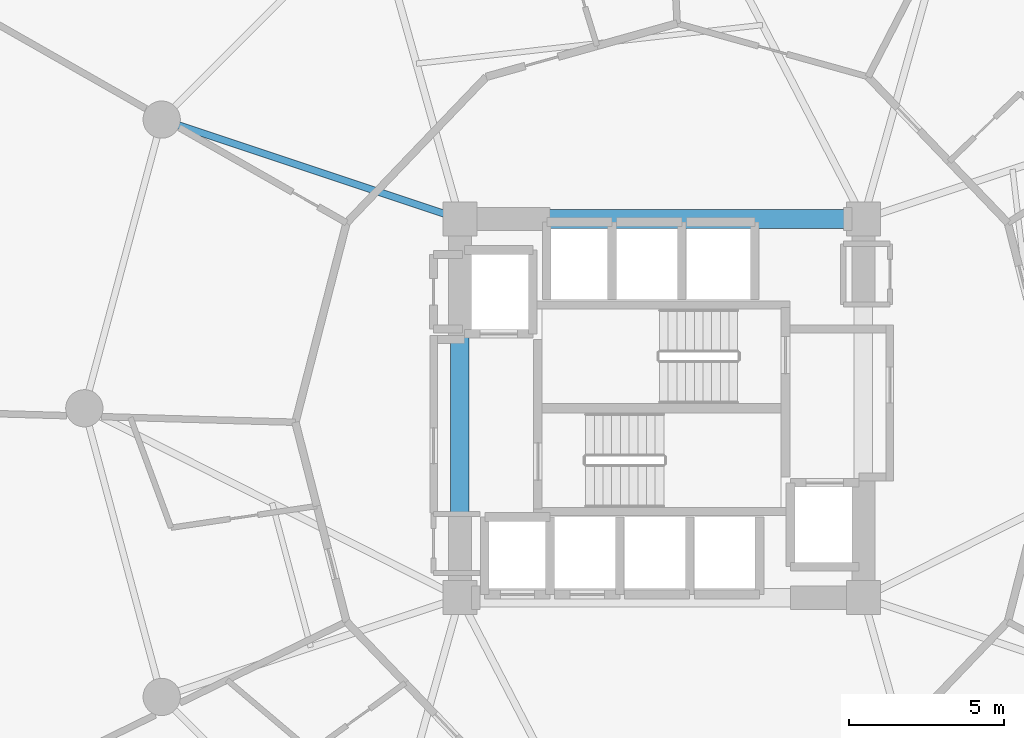
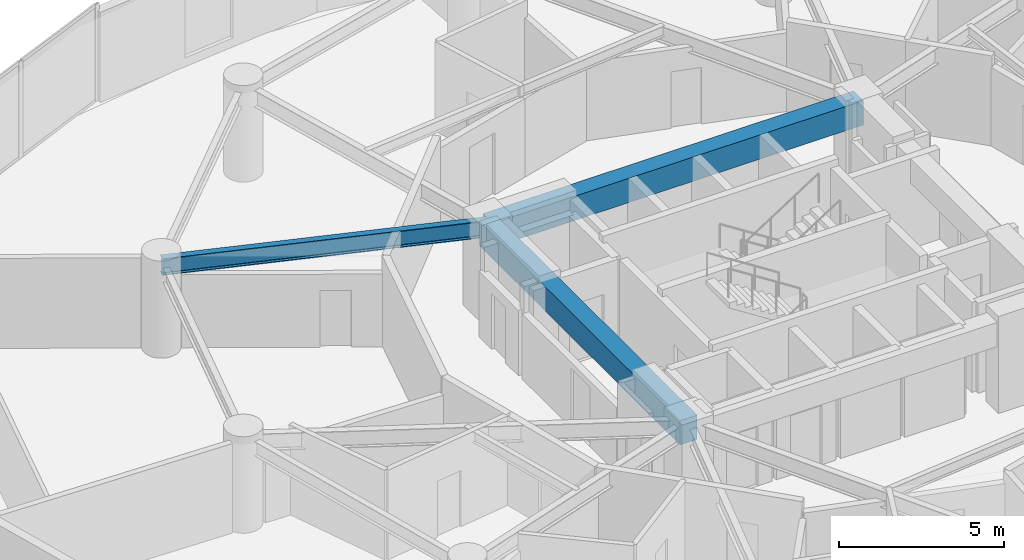
# One storey, part 8 of 26: 3 beams.
"""IFC4 building model written with IfcOpenShell, lengths in metres."""

from ifc_helpers import new_model, si_unit, direction, frame, origin, origin_2d, place, context, subcontext, project, spatial, rectangle, i_section, extrude, material, material_profile, profile_set, type_object, element, save


model = new_model("IFC4")

# Units and contexts
model_context = context("Model", 3, precision=1e-05, world=origin(), true_north=direction((0.0, 1.0)))
body_context = subcontext(model_context, "Body", "Model", "MODEL_VIEW")
ifc_project = project(units=[si_unit("LENGTHUNIT", "METRE"), si_unit("AREAUNIT", "SQUARE_METRE"), si_unit("VOLUMEUNIT", "CUBIC_METRE"), si_unit("PLANEANGLEUNIT", "RADIAN"), si_unit("MASSUNIT", "GRAM", prefix="KILO")], contexts=[model_context])

# Site, building, storey
site_placement = place(None, origin())
site = spatial("IfcSite", under=ifc_project, at=site_placement, CompositionType="ELEMENT")
building_placement = place(site_placement, origin())
building = spatial("IfcBuilding", under=site, at=building_placement, Name="Solvirekh Grand Hotel", CompositionType="ELEMENT")
storey_placement = place(building_placement, frame((0.0, 0.0, 64.39990234375)))
storey = spatial("IfcBuildingStorey", under=building, at=storey_placement, Name="L15", CompositionType="ELEMENT", Elevation=64.39990234375)

# Beams
ifc_material_1 = material(Name="Concrete C50/60", Category="concrete")
ifc_material_profile_1 = material_profile(ifc_material_1, rectangle(XDim=0.60009765625, YDim=0.89990234375, at=origin_2d()), Name="RC BEAM 600X900")
ifc_profile_set_1 = profile_set([ifc_material_profile_1], Name="Concrete C50/60")
beam_type_1 = type_object("IfcBeamType", Name="Beam_Core_RC900", PredefinedType="BEAM", material=ifc_profile_set_1)
beam_1_placement = place(storey_placement, frame((6.5, 6.10009765625, 2.89013671875), z_axis=(-1.0, 0.0, 0.0), x_axis=(0.0, -1.0, 0.0)))
element("IfcBeam", 1, at=beam_1_placement, inside=storey, type_object=beam_type_1, Name="L15 core coupling ring beam 3", PredefinedType="BEAM", context=body_context, shape_type="SweptSolid", body=[
    extrude(rectangle(XDim=0.60009765625, YDim=0.89990234375, at=origin_2d()), origin(), (0.0, 0.0, 1.0), 13.0),
])
beam_2_placement = place(storey_placement, frame((-6.5, 6.10009765625, 2.89013671875), z_axis=(0.0, -1.0, 0.0), x_axis=(1.0, 0.0, 0.0)))
element("IfcBeam", 2, at=beam_2_placement, inside=storey, type_object=beam_type_1, Name="L15 core coupling ring beam 4", PredefinedType="BEAM", context=body_context, shape_type="SweptSolid", body=[
    extrude(rectangle(XDim=0.60009765625, YDim=0.89990234375, at=origin_2d()), origin(), (0.0, 0.0, 1.0), 12.2001953125),
])
ifc_material_2 = material(Name="Steel S355", Category="steel")
ifc_material_profile_2 = material_profile(ifc_material_2, i_section(OverallWidth=0.22802734375, OverallDepth=0.616943359375, WebThickness=0.012939453125, FlangeThickness=0.02001953125, FilletRadius=0.014892578125, at=origin_2d()), Name="W610X140")
ifc_profile_set_2 = profile_set([ifc_material_profile_2], Name="Steel S355")
beam_type_2 = type_object("IfcBeamType", Name="Beam_Radial_W610", PredefinedType="BEAM", material=ifc_profile_set_2)
beam_3_placement = place(storey_placement, frame((-6.5, 6.10009765625, 3.031005859375), z_axis=(-0.948762825819, 0.315989082635, 0.0), x_axis=(-0.315989082635, -0.948762825819, 0.0)))
element("IfcBeam", 3, at=beam_3_placement, inside=storey, type_object=beam_type_2, Name="L15 radial floor beam R06", PredefinedType="BEAM", context=body_context, shape_type="SweptSolid", body=[
    extrude(i_section(OverallWidth=0.22802734375, OverallDepth=0.616943359375, WebThickness=0.012939453125, FlangeThickness=0.02001953125, FilletRadius=0.014892578125, at=origin_2d()), origin(), (0.0, 0.0, 1.0), 10.126708984375),
])

save(model, "model.ifc")
